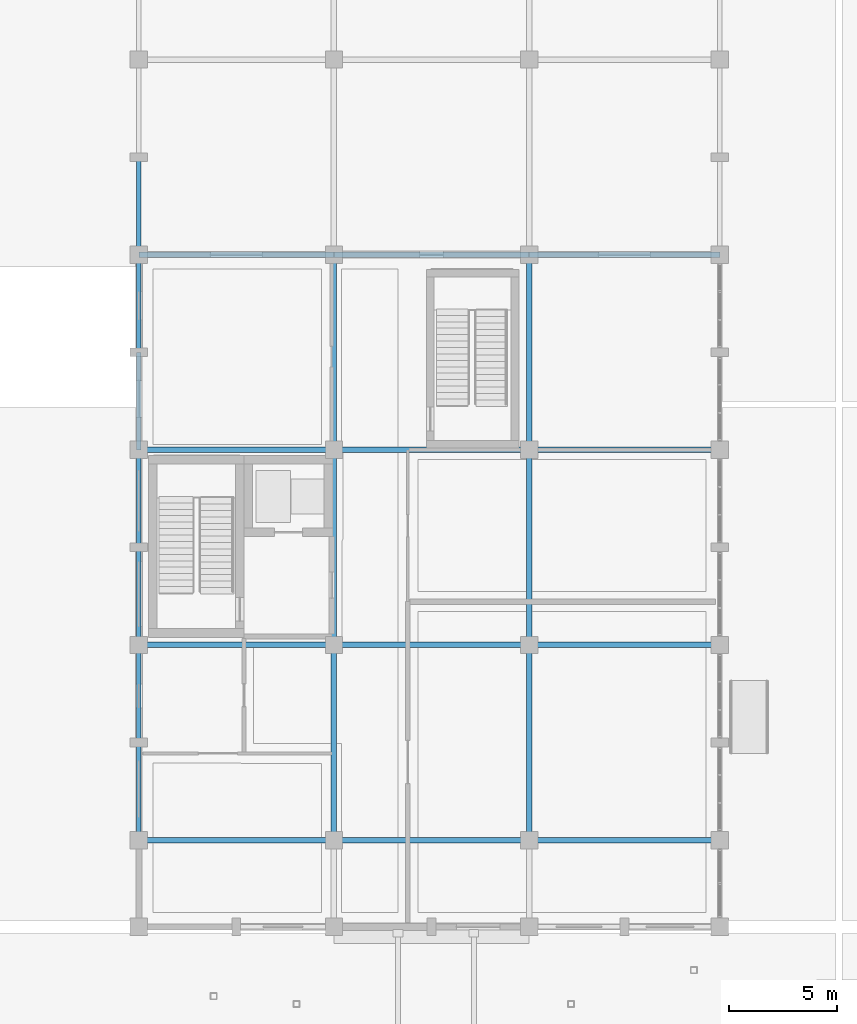
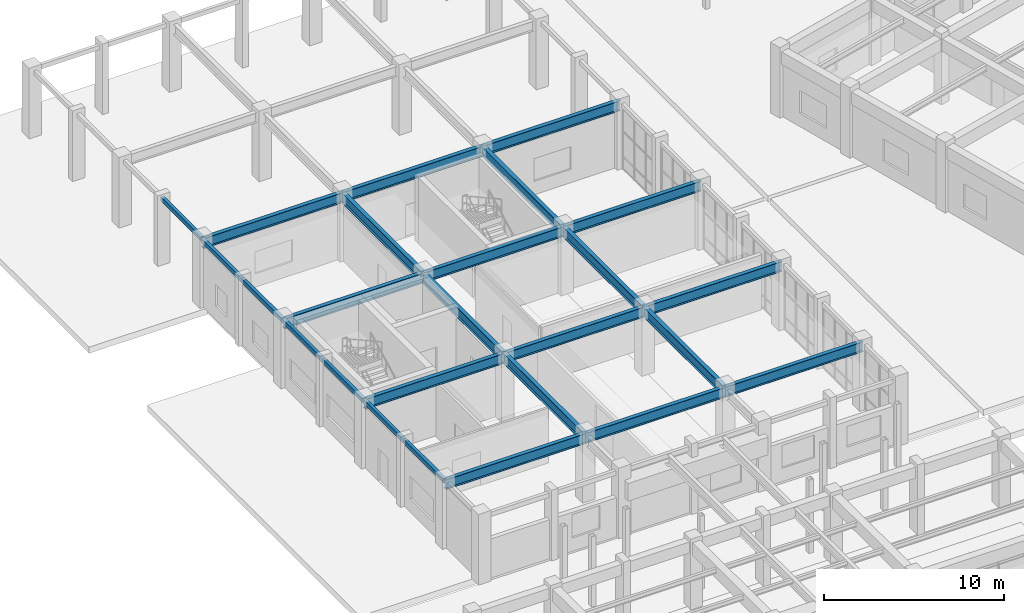
# One storey, part 14 of 47: 25 beams.
"""IFC4 building model written with IfcOpenShell, lengths in metres."""

from ifc_helpers import new_model, si_unit, direction, frame, origin, origin_2d, place, context, subcontext, project, spatial, hollow_rectangle, i_section, extrude, material, material_profile, profile_set, type_object, element, save


model = new_model("IFC4")

# Units and contexts
model_context = context("Model", 3, precision=1e-05, world=origin(), true_north=direction((0.0, 1.0)))
body_context = subcontext(model_context, "Body", "Model", "MODEL_VIEW")
ifc_project = project(units=[si_unit("LENGTHUNIT", "METRE"), si_unit("AREAUNIT", "SQUARE_METRE"), si_unit("VOLUMEUNIT", "CUBIC_METRE"), si_unit("PLANEANGLEUNIT", "RADIAN"), si_unit("MASSUNIT", "GRAM", prefix="KILO")], contexts=[model_context])

# Site, building, storey
site_placement = place(None, origin())
site = spatial("IfcSite", under=ifc_project, at=site_placement, CompositionType="ELEMENT")
building_placement = place(site_placement, origin())
building = spatial("IfcBuilding", under=site, at=building_placement, Name="Ventoquebrada Cableway Terminal", CompositionType="ELEMENT")
storey_placement = place(building_placement, origin())
storey = spatial("IfcBuildingStorey", under=building, at=storey_placement, Name="L00", CompositionType="ELEMENT", Elevation=0.0)

# Beams
ifc_material_1 = material(Name="Steel ASTM A992 Grade 50", Category="steel")
ifc_material_profile_1 = material_profile(ifc_material_1, i_section(OverallWidth=0.25390625, OverallDepth=0.68798828125, WebThickness=0.01318359375, FlangeThickness=0.02099609375, at=origin_2d()), Name="W27X102")
ifc_profile_set_1 = profile_set([ifc_material_profile_1], Name="Steel ASTM A992 Grade 50")
beam_type_1 = type_object("IfcBeamType", Name="BM-ST04", PredefinedType="BEAM", material=ifc_profile_set_1)
for number, where, z_axis, x_axis, name in (
    (1, (8.199951171875, 68.0, 4.095947265625), (1.0, 0.0, 0.0), (0.0, 1.0, 0.0), "Primary frame girder FBM-0322"),
    (2, (17.199951171875, 68.0, 4.095947265625), (1.0, 0.0, 0.0), (0.0, 1.0, 0.0), "Primary frame girder FBM-0323"),
):
    element("IfcBeam", number, at=place(storey_placement, frame(where, z_axis=z_axis, x_axis=x_axis)), inside=storey, type_object=beam_type_1, Name=name, PredefinedType="BEAM", context=body_context, shape_type="SweptSolid", body=[
        extrude(i_section(OverallWidth=0.25390625, OverallDepth=0.68798828125, WebThickness=0.01318359375, FlangeThickness=0.02099609375, at=origin_2d()), origin(), (0.0, 0.0, 1.0), 9.0),
    ])
beam_1_placement = place(storey_placement, frame((26.199951171875, 68.0, 4.095947265625), z_axis=(1.0, 0.0, 0.0), x_axis=(0.0, 1.0, 0.0)))
element("IfcBeam", 3, at=beam_1_placement, inside=storey, type_object=beam_type_1, Name="Primary frame girder FBM-0324", PredefinedType="BEAM", context=body_context, shape_type="SweptSolid", body=[
    extrude(i_section(OverallWidth=0.25390625, OverallDepth=0.68798828125, WebThickness=0.01318359375, FlangeThickness=0.02099609375, at=origin_2d()), origin(), (0.0, 0.0, 1.0), 8.800048828125),
])
for number, where, z_axis, x_axis, name in (
    (4, (8.199951171875, 77.0, 4.095947265625), (1.0, 0.0, 0.0), (0.0, 1.0, 0.0), "Primary frame girder FBM-0325"),
    (5, (17.199951171875, 77.0, 4.095947265625), (1.0, 0.0, 0.0), (0.0, 1.0, 0.0), "Primary frame girder FBM-0326"),
):
    element("IfcBeam", number, at=place(storey_placement, frame(where, z_axis=z_axis, x_axis=x_axis)), inside=storey, type_object=beam_type_1, Name=name, PredefinedType="BEAM", context=body_context, shape_type="SweptSolid", body=[
        extrude(i_section(OverallWidth=0.25390625, OverallDepth=0.68798828125, WebThickness=0.01318359375, FlangeThickness=0.02099609375, at=origin_2d()), origin(), (0.0, 0.0, 1.0), 9.0),
    ])
beam_2_placement = place(storey_placement, frame((26.199951171875, 77.0, 4.095947265625), z_axis=(1.0, 0.0, 0.0), x_axis=(0.0, 1.0, 0.0)))
element("IfcBeam", 6, at=beam_2_placement, inside=storey, type_object=beam_type_1, Name="Primary frame girder FBM-0327", PredefinedType="BEAM", context=body_context, shape_type="SweptSolid", body=[
    extrude(i_section(OverallWidth=0.25390625, OverallDepth=0.68798828125, WebThickness=0.01318359375, FlangeThickness=0.02099609375, at=origin_2d()), origin(), (0.0, 0.0, 1.0), 8.800048828125),
])
for number, where, z_axis, x_axis, name in (
    (7, (8.199951171875, 86.0, 4.095947265625), (1.0, 0.0, 0.0), (0.0, 1.0, 0.0), "Primary frame girder FBM-0328"),
    (8, (17.199951171875, 86.0, 4.095947265625), (1.0, 0.0, 0.0), (0.0, 1.0, 0.0), "Primary frame girder FBM-0329"),
):
    element("IfcBeam", number, at=place(storey_placement, frame(where, z_axis=z_axis, x_axis=x_axis)), inside=storey, type_object=beam_type_1, Name=name, PredefinedType="BEAM", context=body_context, shape_type="SweptSolid", body=[
        extrude(i_section(OverallWidth=0.25390625, OverallDepth=0.68798828125, WebThickness=0.01318359375, FlangeThickness=0.02099609375, at=origin_2d()), origin(), (0.0, 0.0, 1.0), 9.0),
    ])
beam_3_placement = place(storey_placement, frame((26.199951171875, 86.0, 4.095947265625), z_axis=(1.0, 0.0, 0.0), x_axis=(0.0, 1.0, 0.0)))
element("IfcBeam", 9, at=beam_3_placement, inside=storey, type_object=beam_type_1, Name="Primary frame girder FBM-0330", PredefinedType="BEAM", context=body_context, shape_type="SweptSolid", body=[
    extrude(i_section(OverallWidth=0.25390625, OverallDepth=0.68798828125, WebThickness=0.01318359375, FlangeThickness=0.02099609375, at=origin_2d()), origin(), (0.0, 0.0, 1.0), 8.800048828125),
])
for number, where, z_axis, x_axis, name in (
    (10, (8.199951171875, 95.0, 4.095947265625), (1.0, 0.0, 0.0), (0.0, 1.0, 0.0), "Primary frame girder FBM-0331"),
    (11, (17.199951171875, 95.0, 4.095947265625), (1.0, 0.0, 0.0), (0.0, 1.0, 0.0), "Primary frame girder FBM-0332"),
):
    element("IfcBeam", number, at=place(storey_placement, frame(where, z_axis=z_axis, x_axis=x_axis)), inside=storey, type_object=beam_type_1, Name=name, PredefinedType="BEAM", context=body_context, shape_type="SweptSolid", body=[
        extrude(i_section(OverallWidth=0.25390625, OverallDepth=0.68798828125, WebThickness=0.01318359375, FlangeThickness=0.02099609375, at=origin_2d()), origin(), (0.0, 0.0, 1.0), 9.0),
    ])
beam_4_placement = place(storey_placement, frame((26.199951171875, 95.0, 4.095947265625), z_axis=(1.0, 0.0, 0.0), x_axis=(0.0, 1.0, 0.0)))
element("IfcBeam", 12, at=beam_4_placement, inside=storey, type_object=beam_type_1, Name="Primary frame girder FBM-0333", PredefinedType="BEAM", context=body_context, shape_type="SweptSolid", body=[
    extrude(i_section(OverallWidth=0.25390625, OverallDepth=0.68798828125, WebThickness=0.01318359375, FlangeThickness=0.02099609375, at=origin_2d()), origin(), (0.0, 0.0, 1.0), 8.800048828125),
])
for number, where, z_axis, x_axis, name in (
    (13, (17.199951171875, 68.0, 4.095947265625), (0.0, 1.0, 0.0), (-1.0, 0.0, 0.0), "Primary frame girder FBM-0355"),
    (14, (17.199951171875, 77.0, 4.095947265625), (0.0, 1.0, 0.0), (-1.0, 0.0, 0.0), "Primary frame girder FBM-0356"),
    (15, (17.199951171875, 86.0, 4.095947265625), (0.0, 1.0, 0.0), (-1.0, 0.0, 0.0), "Primary frame girder FBM-0357"),
    (16, (26.199951171875, 68.0, 4.095947265625), (0.0, 1.0, 0.0), (-1.0, 0.0, 0.0), "Primary frame girder FBM-0361"),
    (17, (26.199951171875, 77.0, 4.095947265625), (0.0, 1.0, 0.0), (-1.0, 0.0, 0.0), "Primary frame girder FBM-0362"),
    (18, (26.199951171875, 86.0, 4.095947265625), (0.0, 1.0, 0.0), (-1.0, 0.0, 0.0), "Primary frame girder FBM-0363"),
):
    element("IfcBeam", number, at=place(storey_placement, frame(where, z_axis=z_axis, x_axis=x_axis)), inside=storey, type_object=beam_type_1, Name=name, PredefinedType="BEAM", context=body_context, shape_type="SweptSolid", body=[
        extrude(i_section(OverallWidth=0.25390625, OverallDepth=0.68798828125, WebThickness=0.01318359375, FlangeThickness=0.02099609375, at=origin_2d()), origin(), (0.0, 0.0, 1.0), 9.0),
    ])
ifc_material_2 = material(Name="Steel ASTM A500 Grade C", Category="steel")
ifc_material_profile_2 = material_profile(ifc_material_2, hollow_rectangle(XDim=0.199951171875, YDim=0.300048828125, WallThickness=0.012451171875, at=origin_2d()), Name="RHS300X200X12.5")
ifc_profile_set_2 = profile_set([ifc_material_profile_2], Name="Steel ASTM A500 Grade C")
beam_type_2 = type_object("IfcBeamType", Name="SP-ST02", PredefinedType="SPANDREL", material=ifc_profile_set_2)
for number, where, z_axis, x_axis, name in (
    (19, (8.199951171875, 68.0, 4.2900390625), (0.0, 1.0, 0.0), (-1.0, 0.0, 0.0), "Perimeter spandrel beam FBM-0344"),
    (20, (8.199951171875, 72.5, 4.2900390625), (0.0, 1.0, 0.0), (-1.0, 0.0, 0.0), "Perimeter spandrel beam FBM-0345"),
    (21, (8.199951171875, 77.0, 4.2900390625), (0.0, 1.0, 0.0), (-1.0, 0.0, 0.0), "Perimeter spandrel beam FBM-0346"),
    (22, (8.199951171875, 81.5, 4.2900390625), (0.0, 1.0, 0.0), (-1.0, 0.0, 0.0), "Perimeter spandrel beam FBM-0347"),
    (23, (8.199951171875, 86.0, 4.2900390625), (0.0, 1.0, 0.0), (-1.0, 0.0, 0.0), "Perimeter spandrel beam FBM-0348"),
    (24, (8.199951171875, 90.5, 4.2900390625), (0.0, 1.0, 0.0), (-1.0, 0.0, 0.0), "Perimeter spandrel beam FBM-0349"),
    (25, (8.199951171875, 95.0, 4.3798828125), (0.0, 1.0, 0.0), (-1.0, 0.0, 0.0), "Perimeter spandrel beam FBM-0350"),
):
    element("IfcBeam", number, at=place(storey_placement, frame(where, z_axis=z_axis, x_axis=x_axis)), inside=storey, type_object=beam_type_2, Name=name, PredefinedType="SPANDREL", context=body_context, shape_type="SweptSolid", body=[
        extrude(hollow_rectangle(XDim=0.199951171875, YDim=0.300048828125, WallThickness=0.012451171875, at=origin_2d()), origin(), (0.0, 0.0, 1.0), 4.5),
    ])

save(model, "model.ifc")
